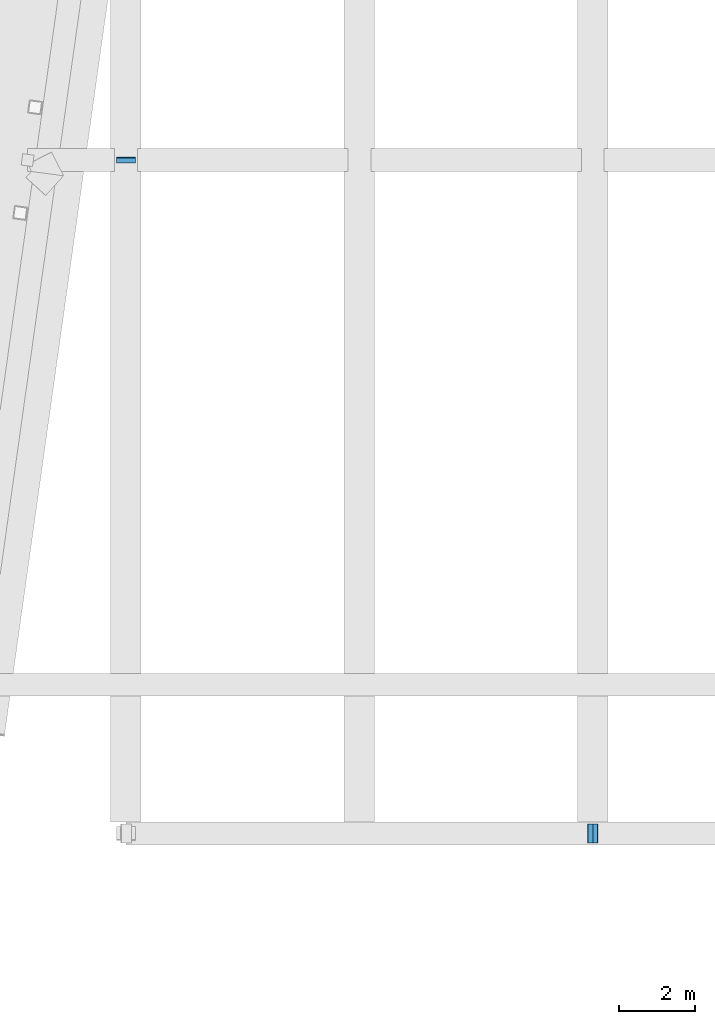
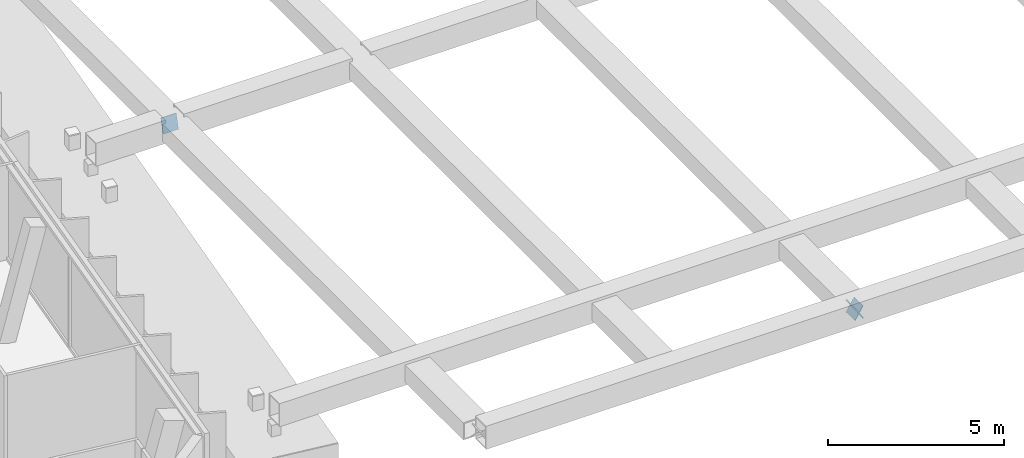
# One storey, part 29 of 36: 3 discrete accessories.
"""IFC4 building model written with IfcOpenShell, lengths in metres."""

from ifc_helpers import new_model, si_unit, direction, frame, origin, origin_2d, place, context, subcontext, project, spatial, rectangle, extrude, material, material_profile, profile_set, type_object, element, save


model = new_model("IFC4")

# Units and contexts
model_context = context("Model", 3, precision=1e-05, world=origin(), true_north=direction((0.0, 1.0)))
body_context = subcontext(model_context, "Body", "Model", "MODEL_VIEW")
ifc_project = project(units=[si_unit("LENGTHUNIT", "METRE"), si_unit("AREAUNIT", "SQUARE_METRE"), si_unit("VOLUMEUNIT", "CUBIC_METRE"), si_unit("PLANEANGLEUNIT", "RADIAN"), si_unit("MASSUNIT", "GRAM", prefix="KILO")], contexts=[model_context])

# Site, building, storey
site_placement = place(None, origin())
site = spatial("IfcSite", under=ifc_project, at=site_placement, CompositionType="ELEMENT")
building_placement = place(site_placement, origin())
building = spatial("IfcBuilding", under=site, at=building_placement, Name="Mirante Cascada Hotel Towers", CompositionType="ELEMENT")
storey_placement = place(building_placement, frame((0.0, 0.0, 254.6)))
storey = spatial("IfcBuildingStorey", under=building, at=storey_placement, Name="L61", CompositionType="ELEMENT", Elevation=254.6)

# Discrete accessories
ifc_material = material(Name="Steel ASTM A572 Gr 50", Category="steel")
ifc_material_profile = material_profile(ifc_material, rectangle(XDim=0.5, YDim=0.5, at=origin_2d()), Name="Connection plate 500x500x25 ASTM A572 Gr 50")
ifc_profile_set = profile_set([ifc_material_profile], Name="Steel ASTM A572 Gr 50")
discrete_accessory_type = type_object("IfcDiscreteAccessoryType", Name="Connection plate 500x500x25 ASTM A572 Gr 50", PredefinedType="BRACKET", material=ifc_profile_set)
for number, where, z_axis, x_axis, name in (
    (1, (-12.2514, -3.8385, 2.8967), (0.0, -0.9644862, 0.2641332), (1.0, 0.0, 0.0), "Connection plate SP-D1"),
    (2, (0.0106, -21.5153, 2.8934), (-0.8488969, 0.0, 0.5285585), (0.0, -1.0, 0.0), "Connection plate SP-ERD"),
    (3, (-0.0106, -21.5153, 2.8934), (0.8488969, 0.0, 0.5285585), (0.0, 1.0, 0.0), "Connection plate SP-ERD"),
):
    element("IfcDiscreteAccessory", number, at=place(storey_placement, frame(where, z_axis=z_axis, x_axis=x_axis)), inside=storey, type_object=discrete_accessory_type, Name=name, PredefinedType="BRACKET", context=body_context, shape_type="SweptSolid", body=[
        extrude(rectangle(XDim=0.5, YDim=0.5, at=origin_2d()), origin(), (0.0, 0.0, 1.0), 0.025),
    ])

save(model, "model.ifc")
